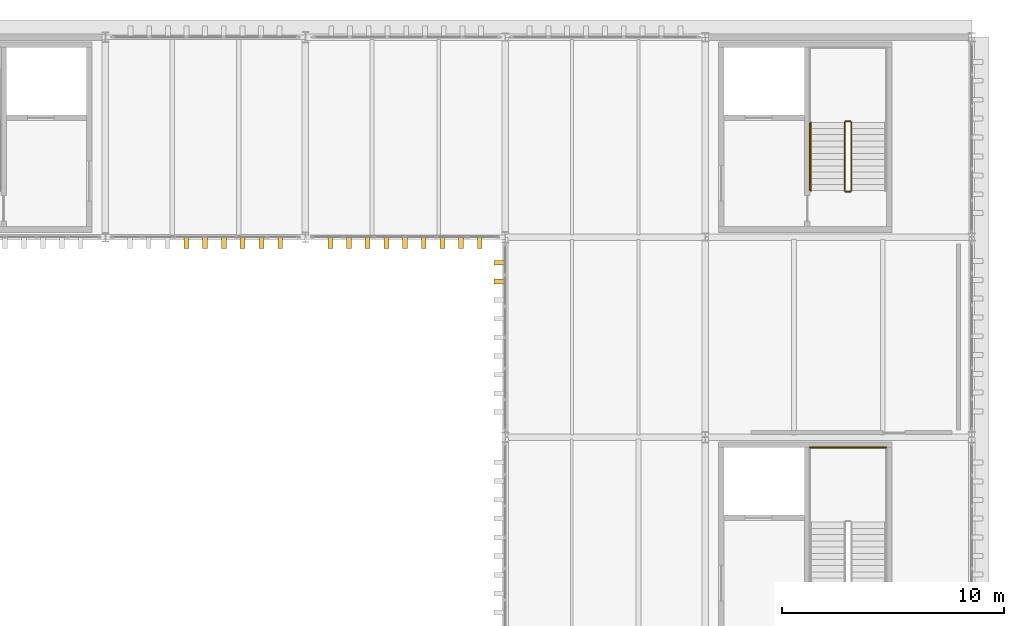
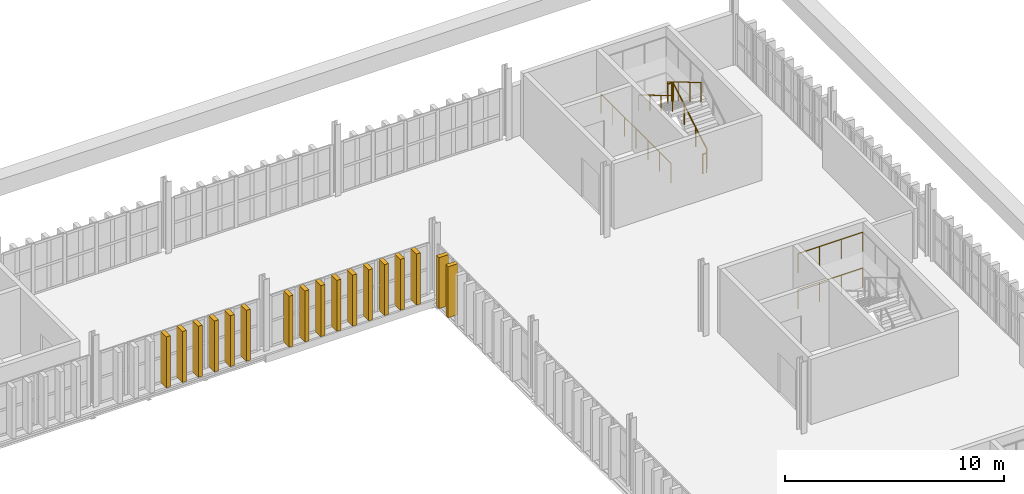
# One storey, part 101 of 102: 17 shading devices, 8 railings.
"""IFC4 building model written with IfcOpenShell, lengths in metres."""

from ifc_helpers import new_model, si_unit, direction, frame, origin, origin_2d, place, context, subcontext, project, spatial, rectangle, circle, extrude, material, type_object, element, save


model = new_model("IFC4")

# Units and contexts
model_context = context("Model", 3, precision=1e-05, world=origin(), true_north=direction((0.0, 1.0)))
body_context = subcontext(model_context, "Body", "Model", "MODEL_VIEW")
ifc_project = project(units=[si_unit("LENGTHUNIT", "METRE"), si_unit("AREAUNIT", "SQUARE_METRE"), si_unit("VOLUMEUNIT", "CUBIC_METRE"), si_unit("PLANEANGLEUNIT", "RADIAN"), si_unit("MASSUNIT", "GRAM", prefix="KILO")], contexts=[model_context])

# Site, building, storey
site_placement = place(None, origin())
site = spatial("IfcSite", under=ifc_project, at=site_placement, CompositionType="ELEMENT")
building_placement = place(site_placement, origin())
building = spatial("IfcBuilding", under=site, at=building_placement, Name="Barlavento Convention Centre", CompositionType="ELEMENT")
storey_placement = place(building_placement, frame((0.0, 0.0, 22.800048828125)))
storey = spatial("IfcBuildingStorey", under=building, at=storey_placement, Name="L04", CompositionType="ELEMENT", Elevation=22.800048828125)

# Railings
ifc_material_1 = material(Name="Stainless steel and laminated glass balustrade", Category="steel")
railing_type_1 = type_object("IfcRailingType", Name="ARC-RAL-BAL-1100", PredefinedType="BALUSTRADE", material=ifc_material_1)
for number, where, name in (
    (1, (188.14990234375, 80.530029296875, 2.0), "L04 landing guard GR01"),
    (2, (188.14990234375, 80.530029296875, 0.0), "L04 stairwell perimeter guard GR01"),
):
    element("IfcRailing", number, at=place(storey_placement, frame(where)), inside=storey, type_object=railing_type_1, Name=name, PredefinedType="BALUSTRADE", context=body_context, shape_type="SweptSolid", body=[
        extrude(circle(Radius=0.02392578125, at=origin_2d()), frame((0.0, 0.0, 1.076171875), z_axis=(-1.0, 0.0, 0.0), x_axis=(0.0, -1.0, 0.0)), (0.0, 0.0, 1.0), 3.43994140625),
        extrude(circle(Radius=0.02099609375, at=origin_2d()), origin(), (0.0, 0.0, 1.0), 1.052001953125),
        extrude(circle(Radius=0.02099609375, at=origin_2d()), frame((-1.146728515625, 0.0, 0.0)), (0.0, 0.0, 1.0), 1.052001953125),
        extrude(circle(Radius=0.02099609375, at=origin_2d()), frame((-2.293212890625, 0.0, 0.0)), (0.0, 0.0, 1.0), 1.052001953125),
        extrude(circle(Radius=0.02099609375, at=origin_2d()), frame((-3.43994140625, 0.0, 0.0)), (0.0, 0.0, 1.0), 1.052001953125),
    ])
railing_1_placement = place(storey_placement, frame((186.580078125, 92.090087890625, 0.16650390625)))
element("IfcRailing", 3, at=railing_1_placement, inside=storey, type_object=railing_type_1, Name="L04 ST08 stair guard 1", PredefinedType="BALUSTRADE", context=body_context, shape_type="SweptSolid", body=[
    extrude(circle(Radius=0.02392578125, at=origin_2d()), frame((0.0, 0.0, 1.076171875), z_axis=(0.0, 0.859260807169, 0.511537745687), x_axis=(-1.0, 0.0, 0.0)), (0.0, 0.0, 1.0), 3.584228515625),
    extrude(circle(Radius=0.02099609375, at=origin_2d()), origin(), (0.0, 0.0, 1.0), 1.052001953125),
    extrude(circle(Radius=0.02099609375, at=origin_2d()), frame((0.0, 1.026611328125, 0.611083984375)), (0.0, 0.0, 1.0), 1.052001953125),
    extrude(circle(Radius=0.02099609375, at=origin_2d()), frame((0.0, 2.05322265625, 1.222412109375)), (0.0, 0.0, 1.0), 1.052001953125),
    extrude(circle(Radius=0.02099609375, at=origin_2d()), frame((0.0, 3.079833984375, 1.83349609375)), (0.0, 0.0, 1.0), 1.052001953125),
])
railing_2_placement = place(storey_placement, frame((186.530029296875, 95.219970703125, 2.0)))
element("IfcRailing", 4, at=railing_2_placement, inside=storey, type_object=railing_type_1, Name="L04 ST08 stair guard 2", PredefinedType="BALUSTRADE", context=body_context, shape_type="SweptSolid", body=[
    extrude(circle(Radius=0.02392578125, at=origin_2d()), frame((0.0, 0.0, 1.076171875), z_axis=(-1.0, 0.0, 0.0), x_axis=(0.0, -1.0, 0.0)), (0.0, 0.0, 1.0), 0.199951171875),
    extrude(circle(Radius=0.02099609375, at=origin_2d()), origin(), (0.0, 0.0, 1.0), 1.052001953125),
    extrude(circle(Radius=0.02099609375, at=origin_2d()), frame((-0.199951171875, 0.0, 0.0)), (0.0, 0.0, 1.0), 1.052001953125),
])
railing_3_placement = place(storey_placement, frame((186.280029296875, 95.169921875, 2.16650390625)))
element("IfcRailing", 5, at=railing_3_placement, inside=storey, type_object=railing_type_1, Name="L04 ST08 stair guard 3", PredefinedType="BALUSTRADE", context=body_context, shape_type="SweptSolid", body=[
    extrude(circle(Radius=0.02392578125, at=origin_2d()), frame((0.0, 0.0, 1.076171875), z_axis=(0.0, -0.859260807169, 0.511537745687), x_axis=(1.0, 0.0, 0.0)), (0.0, 0.0, 1.0), 3.584228515625),
    extrude(circle(Radius=0.02099609375, at=origin_2d()), origin(), (0.0, 0.0, 1.0), 1.052001953125),
    extrude(circle(Radius=0.02099609375, at=origin_2d()), frame((0.0, -1.026611328125, 0.611083984375)), (0.0, 0.0, 1.0), 1.052001953125),
    extrude(circle(Radius=0.02099609375, at=origin_2d()), frame((0.0, -2.05322265625, 1.222412109375)), (0.0, 0.0, 1.0), 1.052001953125),
    extrude(circle(Radius=0.02099609375, at=origin_2d()), frame((0.0, -3.079833984375, 1.83349609375)), (0.0, 0.0, 1.0), 1.052001953125),
])
railing_4_placement = place(storey_placement, frame((186.530029296875, 92.0400390625, 0.0)))
element("IfcRailing", 6, at=railing_4_placement, inside=storey, type_object=railing_type_1, Name="L04 ST08 stair guard 4", PredefinedType="BALUSTRADE", context=body_context, shape_type="SweptSolid", body=[
    extrude(circle(Radius=0.02392578125, at=origin_2d()), frame((0.0, 0.0, 1.076171875), z_axis=(-1.0, 0.0, 0.0), x_axis=(0.0, -1.0, 0.0)), (0.0, 0.0, 1.0), 0.199951171875),
    extrude(circle(Radius=0.02099609375, at=origin_2d()), origin(), (0.0, 0.0, 1.0), 1.052001953125),
    extrude(circle(Radius=0.02099609375, at=origin_2d()), frame((-0.199951171875, 0.0, 0.0)), (0.0, 0.0, 1.0), 1.052001953125),
])
railing_5_placement = place(storey_placement, frame((184.7099609375, 98.530029296875, 0.0)))
element("IfcRailing", 7, at=railing_5_placement, inside=storey, type_object=railing_type_1, Name="L04 stairwell perimeter guard GR01", PredefinedType="BALUSTRADE", context=body_context, shape_type="SweptSolid", body=[
    extrude(circle(Radius=0.02392578125, at=origin_2d()), frame((0.0, 0.0, 1.076171875), z_axis=(0.0, -1.0, 0.0), x_axis=(1.0, 0.0, 0.0)), (0.0, 0.0, 1.0), 6.4150390625),
    extrude(circle(Radius=0.02099609375, at=origin_2d()), origin(), (0.0, 0.0, 1.0), 1.052001953125),
    extrude(circle(Radius=0.02099609375, at=origin_2d()), frame((0.0, -1.069091796875, 0.0)), (0.0, 0.0, 1.0), 1.052001953125),
    extrude(circle(Radius=0.02099609375, at=origin_2d()), frame((0.0, -2.138427734375, 0.0)), (0.0, 0.0, 1.0), 1.052001953125),
    extrude(circle(Radius=0.02099609375, at=origin_2d()), frame((0.0, -3.20751953125, 0.0)), (0.0, 0.0, 1.0), 1.052001953125),
    extrude(circle(Radius=0.02099609375, at=origin_2d()), frame((0.0, -4.276611328125, 0.0)), (0.0, 0.0, 1.0), 1.052001953125),
    extrude(circle(Radius=0.02099609375, at=origin_2d()), frame((0.0, -5.345947265625, 0.0)), (0.0, 0.0, 1.0), 1.052001953125),
    extrude(circle(Radius=0.02099609375, at=origin_2d()), frame((0.0, -6.4150390625, 0.0)), (0.0, 0.0, 1.0), 1.052001953125),
])
ifc_material_2 = material(Name="Brushed stainless steel tubular handrail", Category="steel")
railing_type_2 = type_object("IfcRailingType", Name="ARC-RAL-HR-900", PredefinedType="HANDRAIL", material=ifc_material_2)
railing_6_placement = place(storey_placement, frame((184.760009765625, 95.169921875, 2.16650390625)))
element("IfcRailing", 8, at=railing_6_placement, inside=storey, type_object=railing_type_2, Name="L04 ST08 stair handrail 2", PredefinedType="HANDRAIL", context=body_context, shape_type="SweptSolid", body=[
    extrude(circle(Radius=0.02392578125, at=origin_2d()), frame((0.0, 0.0, 0.8759765625), z_axis=(0.0, -0.859260807169, 0.511537745687), x_axis=(1.0, 0.0, 0.0)), (0.0, 0.0, 1.0), 3.584228515625),
    extrude(circle(Radius=0.02099609375, at=origin_2d()), origin(), (0.0, 0.0, 1.0), 0.851806640625),
    extrude(circle(Radius=0.02099609375, at=origin_2d()), frame((0.0, -1.026611328125, 0.611083984375)), (0.0, 0.0, 1.0), 0.851806640625),
    extrude(circle(Radius=0.02099609375, at=origin_2d()), frame((0.0, -2.05322265625, 1.222412109375)), (0.0, 0.0, 1.0), 0.851806640625),
    extrude(circle(Radius=0.02099609375, at=origin_2d()), frame((0.0, -3.079833984375, 1.83349609375)), (0.0, 0.0, 1.0), 0.851806640625),
])

# Shading devices
ifc_material_3 = material(Name="PVDF white extruded aluminium", Category="aluminium")
shading_device_type = type_object("IfcShadingDeviceType", Name="ARC-SHD-FIN-480", PredefinedType="USERDEFINED", material=ifc_material_3)
for number, where, z_axis, x_axis, name in (
    (9, (156.64208984375, 89.760009765625, 0.0), (0.0, 0.0, 1.0), (1.0, 0.0, 0.0), "White vertical solar shading fin VF01"),
    (10, (157.487548828125, 89.760009765625, 0.0), (0.0, 0.0, 1.0), (1.0, 0.0, 0.0), "White vertical solar shading fin VF01"),
    (11, (158.3330078125, 89.760009765625, 0.0), (0.0, 0.0, 1.0), (1.0, 0.0, 0.0), "White vertical solar shading fin VF01"),
    (12, (159.178466796875, 89.760009765625, 0.0), (0.0, 0.0, 1.0), (1.0, 0.0, 0.0), "White vertical solar shading fin VF01"),
    (13, (160.02392578125, 89.760009765625, 0.0), (0.0, 0.0, 1.0), (1.0, 0.0, 0.0), "White vertical solar shading fin VF01"),
    (14, (160.869384765625, 89.760009765625, 0.0), (0.0, 0.0, 1.0), (1.0, 0.0, 0.0), "White vertical solar shading fin VF01"),
    (15, (163.12548828125, 89.760009765625, 0.0), (0.0, 0.0, 1.0), (1.0, 0.0, 0.0), "White vertical solar shading fin VF01"),
    (16, (163.966064453125, 89.760009765625, 0.0), (0.0, 0.0, 1.0), (1.0, 0.0, 0.0), "White vertical solar shading fin VF01"),
    (17, (164.806396484375, 89.760009765625, 0.0), (0.0, 0.0, 1.0), (1.0, 0.0, 0.0), "White vertical solar shading fin VF01"),
    (18, (165.64697265625, 89.760009765625, 0.0), (0.0, 0.0, 1.0), (1.0, 0.0, 0.0), "White vertical solar shading fin VF01"),
    (19, (166.487548828125, 89.760009765625, 0.0), (0.0, 0.0, 1.0), (1.0, 0.0, 0.0), "White vertical solar shading fin VF01"),
    (20, (167.327880859375, 89.760009765625, 0.0), (0.0, 0.0, 1.0), (1.0, 0.0, 0.0), "White vertical solar shading fin VF01"),
    (21, (168.16845703125, 89.760009765625, 0.0), (0.0, 0.0, 1.0), (1.0, 0.0, 0.0), "White vertical solar shading fin VF01"),
    (22, (169.009033203125, 89.760009765625, 0.0), (0.0, 0.0, 1.0), (1.0, 0.0, 0.0), "White vertical solar shading fin VF01"),
    (23, (169.849609375, 89.760009765625, 0.0), (0.0, 0.0, 1.0), (1.0, 0.0, 0.0), "White vertical solar shading fin VF01"),
    (24, (170.760009765625, 88.009033203125, 0.0), (0.0, 0.0, 1.0), (0.0, 1.0, 0.0), "White vertical solar shading fin VF01"),
    (25, (170.760009765625, 88.849609375, 0.0), (0.0, 0.0, 1.0), (0.0, 1.0, 0.0), "White vertical solar shading fin VF01"),
):
    element("IfcShadingDevice", number, at=place(storey_placement, frame(where, z_axis=z_axis, x_axis=x_axis)), inside=storey, type_object=shading_device_type, Name=name, ObjectType="FIN", PredefinedType="USERDEFINED", context=body_context, shape_type="SweptSolid", body=[
        extrude(rectangle(XDim=0.219970703125, YDim=0.52001953125, at=origin_2d()), origin(), (0.0, 0.0, 1.0), 2.85009765625),
    ])

save(model, "model.ifc")
